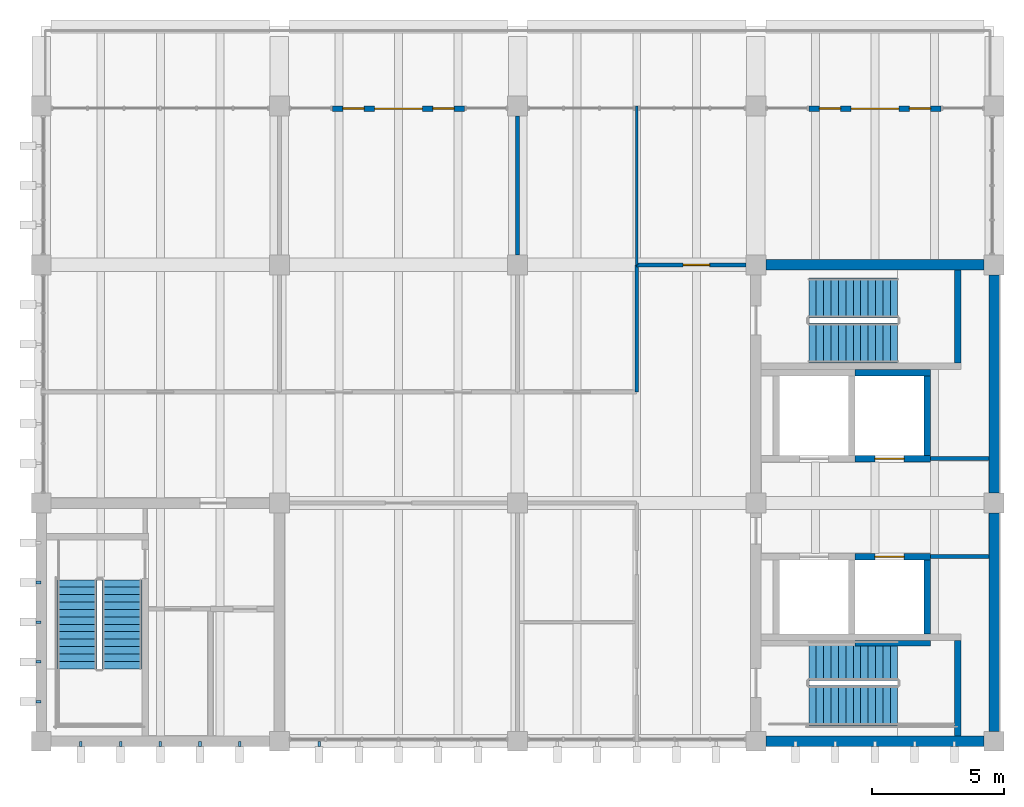
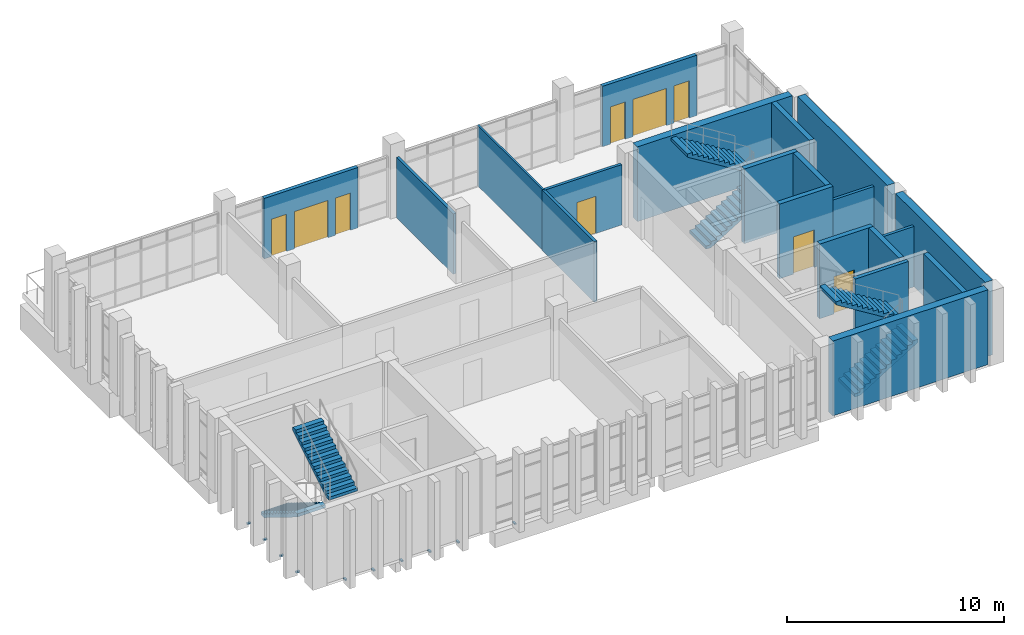
# One storey, part 10 of 15: 20 walls, 10 discrete accessories, 6 stair flights, 5 doors, 4 windows, 9 openings, 3 elements without a shape of their own.
"""IFC4 building model written with IfcOpenShell, lengths in metres."""

from ifc_helpers import new_model, si_unit, direction, frame, frame_2d, origin, place, context, subcontext, project, spatial, polyline, rectangle, outline, extrude, source, transform, mapped, material, layer, layer_set, type_object, element, fill, aggregate, save


model = new_model("IFC4")

# Units and contexts
model_context = context("Model", 3, precision=1e-05, world=origin(), true_north=direction((0.0, 1.0)))
body_context = subcontext(model_context, "Body", "Model", "MODEL_VIEW")
ifc_project = project(units=[si_unit("LENGTHUNIT", "METRE"), si_unit("AREAUNIT", "SQUARE_METRE"), si_unit("VOLUMEUNIT", "CUBIC_METRE"), si_unit("PLANEANGLEUNIT", "RADIAN"), si_unit("MASSUNIT", "GRAM", prefix="KILO")], contexts=[model_context])

# Site, building, storey
site_placement = place(None, origin())
site = spatial("IfcSite", under=ifc_project, at=site_placement, CompositionType="ELEMENT")
building_placement = place(site_placement, origin())
building = spatial("IfcBuilding", under=site, at=building_placement, Name="Merrow Basin Faculty of Sciences", CompositionType="ELEMENT")
storey_placement = place(building_placement, frame((0.0, 0.0, 31.5)))
storey = spatial("IfcBuildingStorey", under=building, at=storey_placement, Name="L07", CompositionType="ELEMENT", Elevation=31.5)

# Walls
ifc_material_1 = material(Name="Fire-rated gypsum board")
ifc_layer_1 = layer(ifc_material_1, 0.14990234375)
ifc_layer_set_1 = layer_set([ifc_layer_1], Name="Corridor partition 150 fire-rated board on steel studs")
wall_type_1 = type_object("IfcWallType", Name="Corridor partition 150 fire-rated board on steel studs", PredefinedType="PARTITIONING", material=ifc_layer_set_1)
wall_1_placement = place(storey_placement, frame((40.5, 155.199951171875, 0.0), z_axis=(0.0, 0.0, 1.0), x_axis=(0.0, 1.0, 0.0)))
element("IfcWall", 1, at=wall_1_placement, inside=storey, type_object=wall_type_1, Name="IW151 L07 005", PredefinedType="PARTITIONING", context=body_context, shape_type="SweptSolid", body=[
    extrude(rectangle(XDim=4.800048828125, YDim=0.14990234375, at=frame_2d((2.39990234375, 0.0))), origin(), (0.0, 0.0, 1.0), 3.39990234375),
])
for number, where, z_axis, x_axis, name in (
    (2, (51.60009765625, 148.97509765625, 0.0), (0.0, 0.0, 1.0), (1.0, 0.0, 0.0), "IW151 L07 007"),
    (3, (51.60009765625, 152.675048828125, 0.0), (0.0, 0.0, 1.0), (1.0, 0.0, 0.0), "IW151 L07 009"),
):
    element("IfcWall", number, at=place(storey_placement, frame(where, z_axis=z_axis, x_axis=x_axis)), inside=storey, type_object=wall_type_1, Name=name, PredefinedType="PARTITIONING", context=body_context, shape_type="SweptSolid", body=[
        extrude(rectangle(XDim=2.199951171875, YDim=0.14990234375, at=frame_2d((1.10009765625, 0.0))), origin(), (0.0, 0.0, 1.0), 3.39990234375),
    ])

# Wall, opening, door
wall_2_placement = place(storey_placement, frame((40.5, 160.0, 0.0), z_axis=(0.0, 0.0, 1.0), x_axis=(1.0, 0.0, 0.0)))
wall_2 = element("IfcWall", 4, at=wall_2_placement, inside=storey, type_object=wall_type_1, Name="IW151 L07 012", PredefinedType="PARTITIONING", context=body_context, shape_type="SweptSolid", body=[
    extrude(rectangle(XDim=4.125, YDim=0.14990234375, at=frame_2d((2.0625, 0.0))), origin(), (0.0, 0.0, 1.0), 3.39990234375),
])
opening_1_placement = place(wall_2_placement, frame((1.75, 0.0, 0.0)))
opening_1 = element("IfcOpeningElement", 5, at=opening_1_placement, cuts=wall_2, Name="Opening D07T015", PredefinedType="OPENING", context=body_context, shape_type="SweptSolid", body=[
    extrude(rectangle(XDim=1.0, YDim=2.10009765625, at=frame_2d((0.5, 1.050048828125))), frame((0.0, 0.0849609375, 0.0), z_axis=(0.0, -1.0, 0.0), x_axis=(1.0, 0.0, 0.0)), (0.0, 0.0, 1.0), 0.169921875),
])
ifc_material_2 = material(Name="Timber door leaf", Category="wood")
door_type_1 = type_object("IfcDoorType", Name="Single swing door 1000 x 2100", OperationType="NOTDEFINED", PredefinedType="DOOR", material=ifc_material_2)
door_1_placement = place(opening_1_placement, origin())
door_1 = element("IfcDoor", 6, at=door_1_placement, inside=storey, type_object=door_type_1, Name="Door D07T015", OperationType="SINGLE_SWING_LEFT", OverallHeight=2.10009765625, OverallWidth=1.0, PredefinedType="DOOR", context=body_context, shape_type="SweptSolid", body=[
    extrude(rectangle(XDim=1.0, YDim=2.10009765625, at=frame_2d((0.5, 1.050048828125))), frame((0.0, 0.02490234375, 0.0), z_axis=(0.0, -1.0, 0.0), x_axis=(1.0, 0.0, 0.0)), (0.0, 0.0, 1.0), 0.050048828125),
])
fill(opening_1, door_1)

# Wall, openings, door, windows
ifc_material_3 = material(Name="Precast concrete C40/50", Category="concrete")
ifc_layer_2 = layer(ifc_material_3, 0.199951171875)
ifc_layer_set_2 = layer_set([ifc_layer_2], Name="Entrance frame wall 200 Precast concrete C40/50")
wall_type_2 = type_object("IfcWallType", Name="Entrance frame wall 200 Precast concrete C40/50", PredefinedType="STANDARD", material=ifc_layer_set_2)
wall_3_placement = place(storey_placement, frame((29.0, 165.89990234375, 0.0), z_axis=(0.0, 0.0, 1.0), x_axis=(1.0, 0.0, 0.0)))
wall_3 = element("IfcWall", 7, at=wall_3_placement, inside=storey, type_object=wall_type_2, Name="Terrace frame wall", PredefinedType="STANDARD", context=body_context, shape_type="SweptSolid", body=[
    extrude(rectangle(XDim=5.0, YDim=0.199951171875, at=frame_2d((2.5, 0.0))), origin(), (0.0, 0.0, 1.0), 3.39990234375),
])
opening_2_placement = place(wall_3_placement, frame((1.60009765625, 0.0, 0.0)))
opening_2 = element("IfcOpeningElement", 8, at=opening_2_placement, cuts=wall_3, Name="Opening D07T016", PredefinedType="OPENING", context=body_context, shape_type="SweptSolid", body=[
    extrude(rectangle(XDim=1.800048828125, YDim=2.10009765625, at=frame_2d((0.89990234375, 1.050048828125))), frame((0.0, 0.10986328125, 0.0), z_axis=(0.0, -1.0, 0.0), x_axis=(1.0, 0.0, 0.0)), (0.0, 0.0, 1.0), 0.219970703125),
])
opening_3_placement = place(wall_3_placement, frame((0.39990234375, 0.0, 0.0)))
opening_3 = element("IfcOpeningElement", 9, at=opening_3_placement, cuts=wall_3, Name="Opening WN19", PredefinedType="OPENING", context=body_context, shape_type="SweptSolid", body=[
    extrude(rectangle(XDim=0.800048828125, YDim=2.10009765625, at=frame_2d((0.39990234375, 1.050048828125))), frame((0.0, 0.10986328125, 0.0), z_axis=(0.0, -1.0, 0.0), x_axis=(1.0, 0.0, 0.0)), (0.0, 0.0, 1.0), 0.219970703125),
])
opening_4_placement = place(wall_3_placement, frame((3.800048828125, 0.0, 0.0)))
opening_4 = element("IfcOpeningElement", 10, at=opening_4_placement, cuts=wall_3, Name="Opening WN19", PredefinedType="OPENING", context=body_context, shape_type="SweptSolid", body=[
    extrude(rectangle(XDim=0.800048828125, YDim=2.10009765625, at=frame_2d((0.39990234375, 1.050048828125))), frame((0.0, 0.10986328125, 0.0), z_axis=(0.0, -1.0, 0.0), x_axis=(1.0, 0.0, 0.0)), (0.0, 0.0, 1.0), 0.219970703125),
])
ifc_material_4 = material(Name="Glazed aluminium door", Category="aluminium")
door_type_2 = type_object("IfcDoorType", Name="Double swing door 1800 x 2100", OperationType="NOTDEFINED", PredefinedType="DOOR", material=ifc_material_4)
door_2_placement = place(opening_2_placement, origin())
door_2 = element("IfcDoor", 11, at=door_2_placement, inside=storey, type_object=door_type_2, Name="Terrace door", OperationType="DOUBLE_DOOR_SINGLE_SWING", OverallHeight=2.10009765625, OverallWidth=1.800048828125, PredefinedType="DOOR", context=body_context, shape_type="SweptSolid", body=[
    extrude(rectangle(XDim=1.800048828125, YDim=2.10009765625, at=frame_2d((0.89990234375, 1.050048828125))), frame((0.0, 0.02490234375, 0.0), z_axis=(0.0, -1.0, 0.0), x_axis=(1.0, 0.0, 0.0)), (0.0, 0.0, 1.0), 0.050048828125),
])
fill(opening_2, door_2)
ifc_material_5 = material(Name="Low-E double glazing", Category="glass")
window_type = type_object("IfcWindowType", Name="Terrace sidelight 800 x 2100", PartitioningType="SINGLE_PANEL", PredefinedType="WINDOW", material=ifc_material_5)
window_1_placement = place(opening_3_placement, origin())
window_1 = element("IfcWindow", 12, at=window_1_placement, inside=storey, type_object=window_type, Name="Terrace sidelight", OverallHeight=2.10009765625, OverallWidth=0.800048828125, PartitioningType="SINGLE_PANEL", PredefinedType="WINDOW", context=body_context, shape_type="SweptSolid", body=[
    extrude(rectangle(XDim=0.800048828125, YDim=2.10009765625, at=frame_2d((0.39990234375, 1.050048828125))), frame((0.0, 0.030029296875, 0.0), z_axis=(0.0, -1.0, 0.0), x_axis=(1.0, 0.0, 0.0)), (0.0, 0.0, 1.0), 0.06005859375),
])
fill(opening_3, window_1)
window_2_placement = place(opening_4_placement, origin())
window_2 = element("IfcWindow", 13, at=window_2_placement, inside=storey, type_object=window_type, Name="Terrace sidelight", OverallHeight=2.10009765625, OverallWidth=0.800048828125, PartitioningType="SINGLE_PANEL", PredefinedType="WINDOW", context=body_context, shape_type="SweptSolid", body=[
    extrude(rectangle(XDim=0.800048828125, YDim=2.10009765625, at=frame_2d((0.39990234375, 1.050048828125))), frame((0.0, 0.030029296875, 0.0), z_axis=(0.0, -1.0, 0.0), x_axis=(1.0, 0.0, 0.0)), (0.0, 0.0, 1.0), 0.06005859375),
])
fill(opening_4, window_2)

wall_4_placement = place(storey_placement, frame((47.0, 165.89990234375, 0.0), z_axis=(0.0, 0.0, 1.0), x_axis=(1.0, 0.0, 0.0)))
wall_4 = element("IfcWall", 14, at=wall_4_placement, inside=storey, type_object=wall_type_2, Name="Terrace frame wall", PredefinedType="STANDARD", context=body_context, shape_type="SweptSolid", body=[
    extrude(rectangle(XDim=5.0, YDim=0.199951171875, at=frame_2d((2.5, 0.0))), origin(), (0.0, 0.0, 1.0), 3.39990234375),
])
opening_5_placement = place(wall_4_placement, frame((1.60009765625, 0.0, 0.0)))
opening_5 = element("IfcOpeningElement", 15, at=opening_5_placement, cuts=wall_4, Name="Opening D07T017", PredefinedType="OPENING", context=body_context, shape_type="SweptSolid", body=[
    extrude(rectangle(XDim=1.800048828125, YDim=2.10009765625, at=frame_2d((0.89990234375, 1.050048828125))), frame((0.0, 0.10986328125, 0.0), z_axis=(0.0, -1.0, 0.0), x_axis=(1.0, 0.0, 0.0)), (0.0, 0.0, 1.0), 0.219970703125),
])
opening_6_placement = place(wall_4_placement, frame((0.39990234375, 0.0, 0.0)))
opening_6 = element("IfcOpeningElement", 16, at=opening_6_placement, cuts=wall_4, Name="Opening WN19", PredefinedType="OPENING", context=body_context, shape_type="SweptSolid", body=[
    extrude(rectangle(XDim=0.800048828125, YDim=2.10009765625, at=frame_2d((0.39990234375, 1.050048828125))), frame((0.0, 0.10986328125, 0.0), z_axis=(0.0, -1.0, 0.0), x_axis=(1.0, 0.0, 0.0)), (0.0, 0.0, 1.0), 0.219970703125),
])
opening_7_placement = place(wall_4_placement, frame((3.800048828125, 0.0, 0.0)))
opening_7 = element("IfcOpeningElement", 17, at=opening_7_placement, cuts=wall_4, Name="Opening WN19", PredefinedType="OPENING", context=body_context, shape_type="SweptSolid", body=[
    extrude(rectangle(XDim=0.800048828125, YDim=2.10009765625, at=frame_2d((0.39990234375, 1.050048828125))), frame((0.0, 0.10986328125, 0.0), z_axis=(0.0, -1.0, 0.0), x_axis=(1.0, 0.0, 0.0)), (0.0, 0.0, 1.0), 0.219970703125),
])
door_3_placement = place(opening_5_placement, origin())
door_3 = element("IfcDoor", 18, at=door_3_placement, inside=storey, type_object=door_type_2, Name="Terrace door", OperationType="DOUBLE_DOOR_SINGLE_SWING", OverallHeight=2.10009765625, OverallWidth=1.800048828125, PredefinedType="DOOR", context=body_context, shape_type="SweptSolid", body=[
    extrude(rectangle(XDim=1.800048828125, YDim=2.10009765625, at=frame_2d((0.89990234375, 1.050048828125))), frame((0.0, 0.02490234375, 0.0), z_axis=(0.0, -1.0, 0.0), x_axis=(1.0, 0.0, 0.0)), (0.0, 0.0, 1.0), 0.050048828125),
])
fill(opening_5, door_3)
window_3_placement = place(opening_6_placement, origin())
window_3 = element("IfcWindow", 19, at=window_3_placement, inside=storey, type_object=window_type, Name="Terrace sidelight", OverallHeight=2.10009765625, OverallWidth=0.800048828125, PartitioningType="SINGLE_PANEL", PredefinedType="WINDOW", context=body_context, shape_type="SweptSolid", body=[
    extrude(rectangle(XDim=0.800048828125, YDim=2.10009765625, at=frame_2d((0.39990234375, 1.050048828125))), frame((0.0, 0.030029296875, 0.0), z_axis=(0.0, -1.0, 0.0), x_axis=(1.0, 0.0, 0.0)), (0.0, 0.0, 1.0), 0.06005859375),
])
fill(opening_6, window_3)
window_4_placement = place(opening_7_placement, origin())
window_4 = element("IfcWindow", 20, at=window_4_placement, inside=storey, type_object=window_type, Name="Terrace sidelight", OverallHeight=2.10009765625, OverallWidth=0.800048828125, PartitioningType="SINGLE_PANEL", PredefinedType="WINDOW", context=body_context, shape_type="SweptSolid", body=[
    extrude(rectangle(XDim=0.800048828125, YDim=2.10009765625, at=frame_2d((0.39990234375, 1.050048828125))), frame((0.0, 0.030029296875, 0.0), z_axis=(0.0, -1.0, 0.0), x_axis=(1.0, 0.0, 0.0)), (0.0, 0.0, 1.0), 0.06005859375),
])
fill(opening_7, window_4)

# Walls
ifc_material_6 = material(Name="Fire-rated gypsum board")
ifc_layer_3 = layer(ifc_material_6, 0.14990234375)
ifc_layer_set_3 = layer_set([ifc_layer_3], Name="Laboratory partition 150 fire-rated board on steel studs")
wall_type_3 = type_object("IfcWallType", Name="Laboratory partition 150 fire-rated board on steel studs", PredefinedType="PARTITIONING", material=ifc_layer_set_3)
wall_5_placement = place(storey_placement, frame((36.0, 160.375, 0.0), z_axis=(0.0, 0.0, 1.0), x_axis=(0.0, 1.0, 0.0)))
element("IfcWall", 21, at=wall_5_placement, inside=storey, type_object=wall_type_3, Name="IW150 L07 016", PredefinedType="PARTITIONING", context=body_context, shape_type="SweptSolid", body=[
    extrude(rectangle(XDim=5.25, YDim=0.14990234375, at=frame_2d((2.625, 0.0))), origin(), (0.0, 0.0, 1.0), 3.39990234375),
])
ifc_material_7 = material(Name="Gypsum board")
ifc_layer_4 = layer(ifc_material_7, 0.10009765625)
ifc_layer_set_4 = layer_set([ifc_layer_4], Name="Partition 100 gypsum board on steel studs")
wall_type_4 = type_object("IfcWallType", Name="Partition 100 gypsum board on steel studs", PredefinedType="PARTITIONING", material=ifc_layer_set_4)
wall_6_placement = place(storey_placement, frame((40.5, 160.0, 0.0), z_axis=(0.0, 0.0, 1.0), x_axis=(0.0, 1.0, 0.0)))
element("IfcWall", 22, at=wall_6_placement, inside=storey, type_object=wall_type_4, Name="IW100 L07 021", PredefinedType="PARTITIONING", context=body_context, shape_type="SweptSolid", body=[
    extrude(rectangle(XDim=6.0, YDim=0.10009765625, at=frame_2d((3.0, 0.0))), origin(), (0.0, 0.0, 1.0), 3.39990234375),
])
ifc_material_8 = material(Name="Concrete C40/50", Category="concrete")
ifc_layer_5 = layer(ifc_material_8, 0.199951171875)
ifc_layer_set_5 = layer_set([ifc_layer_5], Name="Shear wall 200 Concrete C40/50")
wall_type_5 = type_object("IfcWallType", Name="Shear wall 200 Concrete C40/50", PredefinedType="SHEAR", material=ifc_layer_set_5)
wall_7_placement = place(storey_placement, frame((48.75, 145.699951171875, 0.0), z_axis=(0.0, 0.0, 1.0), x_axis=(1.0, 0.0, 0.0)))
element("IfcWall", 23, at=wall_7_placement, inside=storey, type_object=wall_type_5, Name="SW6 L07 022", PredefinedType="SHEAR", context=body_context, shape_type="SweptSolid", body=[
    extrude(rectangle(XDim=2.85009765625, YDim=0.199951171875, at=frame_2d((1.425048828125, 0.0))), origin(), (0.0, 0.0, 1.0), 4.199951171875),
])
ifc_material_9 = material(Name="Concrete C40/50", Category="concrete")
ifc_layer_6 = layer(ifc_material_9, 0.25)
ifc_layer_set_6 = layer_set([ifc_layer_6], Name="Shear wall 250 Concrete C40/50")
wall_type_6 = type_object("IfcWallType", Name="Shear wall 250 Concrete C40/50", PredefinedType="SHEAR", material=ifc_layer_set_6)
wall_8_placement = place(storey_placement, frame((52.625, 156.300048828125, 0.0), z_axis=(0.0, 0.0, 1.0), x_axis=(0.0, 1.0, 0.0)))
element("IfcWall", 24, at=wall_8_placement, inside=storey, type_object=wall_type_6, Name="SW2 L07 008", PredefinedType="SHEAR", context=body_context, shape_type="SweptSolid", body=[
    extrude(rectangle(XDim=3.5, YDim=0.25, at=frame_2d((1.75, 0.0))), origin(), (0.0, 0.0, 1.0), 4.199951171875),
])
wall_9_placement = place(storey_placement, frame((52.625, 142.199951171875, 0.0), z_axis=(0.0, 0.0, 1.0), x_axis=(0.0, 1.0, 0.0)))
element("IfcWall", 25, at=wall_9_placement, inside=storey, type_object=wall_type_6, Name="SW2 L07 010", PredefinedType="SHEAR", context=body_context, shape_type="SweptSolid", body=[
    extrude(rectangle(XDim=3.60009765625, YDim=0.25, at=frame_2d((1.800048828125, 0.0))), origin(), (0.0, 0.0, 1.0), 4.199951171875),
])

# Wall, opening, door
wall_10_placement = place(storey_placement, frame((48.75, 152.675048828125, 0.0), z_axis=(0.0, 0.0, 1.0), x_axis=(1.0, 0.0, 0.0)))
wall_10 = element("IfcWall", 26, at=wall_10_placement, inside=storey, type_object=wall_type_6, Name="SW2 L07 015", PredefinedType="SHEAR", context=body_context, shape_type="SweptSolid", body=[
    extrude(rectangle(XDim=2.85009765625, YDim=0.25, at=frame_2d((1.425048828125, 0.0))), origin(), (0.0, 0.0, 1.0), 4.199951171875),
])
opening_8_placement = place(wall_10_placement, frame((0.75, 0.0, 0.0)))
opening_8 = element("IfcOpeningElement", 27, at=opening_8_placement, cuts=wall_10, Name="Opening LD07T02", PredefinedType="OPENING", context=body_context, shape_type="SweptSolid", body=[
    extrude(rectangle(XDim=1.10009765625, YDim=2.10009765625, at=frame_2d((0.550048828125, 1.050048828125))), frame((0.0, 0.135009765625, 0.0), z_axis=(0.0, -1.0, 0.0), x_axis=(1.0, 0.0, 0.0)), (0.0, 0.0, 1.0), 0.27001953125),
])
ifc_material_10 = material(Name="Stainless steel sliding door", Category="steel")
door_type_3 = type_object("IfcDoorType", Name="Lift landing door 1100 x 2100 sliding", OperationType="NOTDEFINED", PredefinedType="DOOR", material=ifc_material_10)
door_4_placement = place(opening_8_placement, origin())
door_4 = element("IfcDoor", 28, at=door_4_placement, inside=storey, type_object=door_type_3, Name="Landing door LF12 L07", OperationType="SLIDING_TO_LEFT", OverallHeight=2.10009765625, OverallWidth=1.10009765625, PredefinedType="DOOR", context=body_context, shape_type="SweptSolid", body=[
    extrude(rectangle(XDim=1.10009765625, YDim=2.10009765625, at=frame_2d((0.550048828125, 1.050048828125))), frame((0.0, 0.02490234375, 0.0), z_axis=(0.0, -1.0, 0.0), x_axis=(1.0, 0.0, 0.0)), (0.0, 0.0, 1.0), 0.050048828125),
])
fill(opening_8, door_4)

# Walls
wall_11_placement = place(storey_placement, frame((48.75, 155.925048828125, 0.0), z_axis=(0.0, 0.0, 1.0), x_axis=(1.0, 0.0, 0.0)))
element("IfcWall", 29, at=wall_11_placement, inside=storey, type_object=wall_type_6, Name="SW2 L07 016", PredefinedType="SHEAR", context=body_context, shape_type="SweptSolid", body=[
    extrude(rectangle(XDim=2.85009765625, YDim=0.25, at=frame_2d((1.425048828125, 0.0))), origin(), (0.0, 0.0, 1.0), 4.199951171875),
])
wall_12_placement = place(storey_placement, frame((51.47509765625, 152.800048828125, 0.0), z_axis=(0.0, 0.0, 1.0), x_axis=(0.0, 1.0, 0.0)))
element("IfcWall", 30, at=wall_12_placement, inside=storey, type_object=wall_type_6, Name="SW2 L07 017", PredefinedType="SHEAR", context=body_context, shape_type="SweptSolid", body=[
    extrude(rectangle(XDim=3.0, YDim=0.25, at=frame_2d((1.5, 0.0))), origin(), (0.0, 0.0, 1.0), 4.199951171875),
])

# Wall, opening, door
wall_13_placement = place(storey_placement, frame((48.75, 148.97509765625, 0.0), z_axis=(0.0, 0.0, 1.0), x_axis=(1.0, 0.0, 0.0)))
wall_13 = element("IfcWall", 31, at=wall_13_placement, inside=storey, type_object=wall_type_6, Name="SW2 L07 023", PredefinedType="SHEAR", context=body_context, shape_type="SweptSolid", body=[
    extrude(rectangle(XDim=2.85009765625, YDim=0.25, at=frame_2d((1.425048828125, 0.0))), origin(), (0.0, 0.0, 1.0), 4.199951171875),
])
opening_9_placement = place(wall_13_placement, frame((0.75, 0.0, 0.0)))
opening_9 = element("IfcOpeningElement", 32, at=opening_9_placement, cuts=wall_13, Name="Opening LD07T04", PredefinedType="OPENING", context=body_context, shape_type="SweptSolid", body=[
    extrude(rectangle(XDim=1.10009765625, YDim=2.10009765625, at=frame_2d((0.550048828125, 1.050048828125))), frame((0.0, 0.135009765625, 0.0), z_axis=(0.0, -1.0, 0.0), x_axis=(1.0, 0.0, 0.0)), (0.0, 0.0, 1.0), 0.27001953125),
])
door_5_placement = place(opening_9_placement, origin())
door_5 = element("IfcDoor", 33, at=door_5_placement, inside=storey, type_object=door_type_3, Name="Landing door LF14 L07", OperationType="SLIDING_TO_LEFT", OverallHeight=2.10009765625, OverallWidth=1.10009765625, PredefinedType="DOOR", context=body_context, shape_type="SweptSolid", body=[
    extrude(rectangle(XDim=1.10009765625, YDim=2.10009765625, at=frame_2d((0.550048828125, 1.050048828125))), frame((0.0, 0.02490234375, 0.0), z_axis=(0.0, -1.0, 0.0), x_axis=(1.0, 0.0, 0.0)), (0.0, 0.0, 1.0), 0.050048828125),
])
fill(opening_9, door_5)

# Walls
wall_14_placement = place(storey_placement, frame((51.47509765625, 146.050048828125, 0.0), z_axis=(0.0, 0.0, 1.0), x_axis=(0.0, 1.0, 0.0)))
element("IfcWall", 34, at=wall_14_placement, inside=storey, type_object=wall_type_6, Name="SW2 L07 024", PredefinedType="SHEAR", context=body_context, shape_type="SweptSolid", body=[
    extrude(rectangle(XDim=2.800048828125, YDim=0.25, at=frame_2d((1.39990234375, 0.0))), origin(), (0.0, 0.0, 1.0), 4.199951171875),
])
ifc_material_11 = material(Name="Concrete C40/50", Category="concrete")
ifc_layer_7 = layer(ifc_material_11, 0.39990234375)
ifc_layer_set_7 = layer_set([ifc_layer_7], Name="Shear wall 400 Concrete C40/50")
wall_type_7 = type_object("IfcWallType", Name="Shear wall 400 Concrete C40/50", PredefinedType="SHEAR", material=ifc_layer_set_7)
for number, where, z_axis, x_axis, name in (
    (35, (45.375, 142.0, 0.0), (0.0, 0.0, 1.0), (1.0, 0.0, 0.0), "SW1 L07 001"),
    (36, (45.375, 160.0, 0.0), (0.0, 0.0, 1.0), (1.0, 0.0, 0.0), "SW1 L07 002"),
    (37, (54.0, 142.375, 0.0), (0.0, 0.0, 1.0), (0.0, 1.0, 0.0), "SW1 L07 005"),
    (38, (54.0, 151.375, 0.0), (0.0, 0.0, 1.0), (0.0, 1.0, 0.0), "SW1 L07 006"),
):
    element("IfcWall", number, at=place(storey_placement, frame(where, z_axis=z_axis, x_axis=x_axis)), inside=storey, type_object=wall_type_7, Name=name, PredefinedType="SHEAR", context=body_context, shape_type="SweptSolid", body=[
        extrude(rectangle(XDim=8.25, YDim=0.39990234375, at=frame_2d((4.125, 0.0))), origin(), (0.0, 0.0, 1.0), 4.199951171875),
    ])

# Stair, stair flights
ifc_material_12 = material(Name="Concrete C40/50", Category="concrete")
stair_type = type_object("IfcStairType", Name="Concrete dog-leg stair Concrete C40/50", PredefinedType="HALF_TURN_STAIR", material=ifc_material_12)
stair_1_placement = place(storey_placement, origin())
stair_1 = element("IfcStair", 39, at=stair_1_placement, inside=storey, type_object=stair_type, Name="L07 Exit stair S", PredefinedType="HALF_TURN_STAIR")
ifc_material_13 = material(Name="Concrete C40/50", Category="concrete")
stair_flight_type = type_object("IfcStairFlightType", Name="Concrete stair flight Concrete C40/50", PredefinedType="STRAIGHT", material=ifc_material_13)
stair_flight_1_placement = place(storey_placement, frame((47.0, 157.050048828125, 0.0), z_axis=(0.0, 0.0, 1.0), x_axis=(1.0, 0.0, 0.0)))
stair_flight_1 = element("IfcStairFlight", 40, at=stair_flight_1_placement, type_object=stair_flight_type, Name="ST-V5-S flight 1", NumberOfRisers=13, NumberOfTreads=12, PredefinedType="STRAIGHT", RiserHeight=0.173076923, TreadLength=0.28, context=body_context, shape_type="SweptSolid", body=[
    extrude(outline(polyline([(0.0, 0.0), (0.0, 0.173095703125), (0.280029296875, 0.173095703125), (0.280029296875, 0.34619140625), (0.56005859375, 0.34619140625), (0.56005859375, 0.519287109375), (0.840087890625, 0.519287109375), (0.840087890625, 0.6923828125), (1.1201171875, 0.6923828125), (1.1201171875, 0.865478515625), (1.39990234375, 0.865478515625), (1.39990234375, 1.03857421875), (1.679931640625, 1.03857421875), (1.679931640625, 1.21142578125), (1.9599609375, 1.21142578125), (1.9599609375, 1.384521484375), (2.239990234375, 1.384521484375), (2.239990234375, 1.5576171875), (2.52001953125, 1.5576171875), (2.52001953125, 1.730712890625), (2.800048828125, 1.730712890625), (2.800048828125, 1.90380859375), (3.080078125, 1.90380859375), (3.080078125, 2.076904296875), (3.360107421875, 2.076904296875), (3.360107421875, 2.25), (3.360107421875, 1.900634765625), (0.28515625, 0.0), (0.0, 0.0)])), frame((0.0, 0.75, 0.0), z_axis=(0.0, -1.0, 0.0), x_axis=(1.0, 0.0, 0.0)), (0.0, 0.0, 1.0), 1.5),
])
stair_flight_2_placement = place(storey_placement, frame((50.360107421875, 158.75, 2.25), z_axis=(0.0, 0.0, 1.0), x_axis=(-1.0, 0.0, 0.0)))
stair_flight_2 = element("IfcStairFlight", 41, at=stair_flight_2_placement, type_object=stair_flight_type, Name="ST-V5-S flight 2", NumberOfRisers=13, NumberOfTreads=12, PredefinedType="STRAIGHT", RiserHeight=0.173076923, TreadLength=0.28, context=body_context, shape_type="SweptSolid", body=[
    extrude(outline(polyline([(0.0, 0.0), (0.0, 0.173095703125), (0.280029296875, 0.173095703125), (0.280029296875, 0.34619140625), (0.56005859375, 0.34619140625), (0.56005859375, 0.519287109375), (0.840087890625, 0.519287109375), (0.840087890625, 0.6923828125), (1.1201171875, 0.6923828125), (1.1201171875, 0.865478515625), (1.39990234375, 0.865478515625), (1.39990234375, 1.03857421875), (1.679931640625, 1.03857421875), (1.679931640625, 1.21142578125), (1.9599609375, 1.21142578125), (1.9599609375, 1.384521484375), (2.239990234375, 1.384521484375), (2.239990234375, 1.5576171875), (2.52001953125, 1.5576171875), (2.52001953125, 1.730712890625), (2.800048828125, 1.730712890625), (2.800048828125, 1.90380859375), (3.080078125, 1.90380859375), (3.080078125, 2.076904296875), (3.360107421875, 2.076904296875), (3.360107421875, 2.25), (3.360107421875, 1.900634765625), (0.28515625, 0.0), (0.0, 0.0)])), frame((0.0, 0.75, 0.0), z_axis=(0.0, -1.0, 0.0), x_axis=(1.0, 0.0, 0.0)), (0.0, 0.0, 1.0), 1.5),
])
aggregate(stair_1, [stair_flight_1, stair_flight_2])

stair_2_placement = place(storey_placement, origin())
stair_2 = element("IfcStair", 42, at=stair_2_placement, inside=storey, type_object=stair_type, Name="L07 Exit stair N", PredefinedType="HALF_TURN_STAIR")
stair_flight_3_placement = place(storey_placement, frame((47.0, 143.35009765625, 0.0), z_axis=(0.0, 0.0, 1.0), x_axis=(1.0, 0.0, 0.0)))
stair_flight_3 = element("IfcStairFlight", 43, at=stair_flight_3_placement, type_object=stair_flight_type, Name="ST-V5-N flight 1", NumberOfRisers=13, NumberOfTreads=12, PredefinedType="STRAIGHT", RiserHeight=0.173076923, TreadLength=0.28, context=body_context, shape_type="SweptSolid", body=[
    extrude(outline(polyline([(0.0, 0.0), (0.0, 0.173095703125), (0.280029296875, 0.173095703125), (0.280029296875, 0.34619140625), (0.56005859375, 0.34619140625), (0.56005859375, 0.519287109375), (0.840087890625, 0.519287109375), (0.840087890625, 0.6923828125), (1.1201171875, 0.6923828125), (1.1201171875, 0.865478515625), (1.39990234375, 0.865478515625), (1.39990234375, 1.03857421875), (1.679931640625, 1.03857421875), (1.679931640625, 1.21142578125), (1.9599609375, 1.21142578125), (1.9599609375, 1.384521484375), (2.239990234375, 1.384521484375), (2.239990234375, 1.5576171875), (2.52001953125, 1.5576171875), (2.52001953125, 1.730712890625), (2.800048828125, 1.730712890625), (2.800048828125, 1.90380859375), (3.080078125, 1.90380859375), (3.080078125, 2.076904296875), (3.360107421875, 2.076904296875), (3.360107421875, 2.25), (3.360107421875, 1.900634765625), (0.28515625, 0.0), (0.0, 0.0)])), frame((0.0, 0.75, 0.0), z_axis=(0.0, -1.0, 0.0), x_axis=(1.0, 0.0, 0.0)), (0.0, 0.0, 1.0), 1.5),
])
stair_flight_4_placement = place(storey_placement, frame((50.360107421875, 145.050048828125, 2.25), z_axis=(0.0, 0.0, 1.0), x_axis=(-1.0, 0.0, 0.0)))
stair_flight_4 = element("IfcStairFlight", 44, at=stair_flight_4_placement, type_object=stair_flight_type, Name="ST-V5-N flight 2", NumberOfRisers=13, NumberOfTreads=12, PredefinedType="STRAIGHT", RiserHeight=0.173076923, TreadLength=0.28, context=body_context, shape_type="SweptSolid", body=[
    extrude(outline(polyline([(0.0, 0.0), (0.0, 0.173095703125), (0.280029296875, 0.173095703125), (0.280029296875, 0.34619140625), (0.56005859375, 0.34619140625), (0.56005859375, 0.519287109375), (0.840087890625, 0.519287109375), (0.840087890625, 0.6923828125), (1.1201171875, 0.6923828125), (1.1201171875, 0.865478515625), (1.39990234375, 0.865478515625), (1.39990234375, 1.03857421875), (1.679931640625, 1.03857421875), (1.679931640625, 1.21142578125), (1.9599609375, 1.21142578125), (1.9599609375, 1.384521484375), (2.239990234375, 1.384521484375), (2.239990234375, 1.5576171875), (2.52001953125, 1.5576171875), (2.52001953125, 1.730712890625), (2.800048828125, 1.730712890625), (2.800048828125, 1.90380859375), (3.080078125, 1.90380859375), (3.080078125, 2.076904296875), (3.360107421875, 2.076904296875), (3.360107421875, 2.25), (3.360107421875, 1.900634765625), (0.28515625, 0.0), (0.0, 0.0)])), frame((0.0, 0.75, 0.0), z_axis=(0.0, -1.0, 0.0), x_axis=(1.0, 0.0, 0.0)), (0.0, 0.0, 1.0), 1.5),
])
aggregate(stair_2, [stair_flight_3, stair_flight_4])

stair_3_placement = place(storey_placement, origin())
stair_3 = element("IfcStair", 45, at=stair_3_placement, inside=storey, type_object=stair_type, Name="L07 Exit stair W", PredefinedType="HALF_TURN_STAIR")
stair_flight_5_placement = place(storey_placement, frame((19.35009765625, 148.10009765625, 0.0), z_axis=(0.0, 0.0, 1.0), x_axis=(0.0, -1.0, 0.0)))
stair_flight_5 = element("IfcStairFlight", 46, at=stair_flight_5_placement, type_object=stair_flight_type, Name="ST-V5-W flight 1", NumberOfRisers=13, NumberOfTreads=12, PredefinedType="STRAIGHT", RiserHeight=0.173076923, TreadLength=0.28, context=body_context, shape_type="SweptSolid", body=[
    extrude(outline(polyline([(0.0, 0.0), (0.0, 0.173095703125), (0.280029296875, 0.173095703125), (0.280029296875, 0.34619140625), (0.56005859375, 0.34619140625), (0.56005859375, 0.519287109375), (0.840087890625, 0.519287109375), (0.840087890625, 0.6923828125), (1.1201171875, 0.6923828125), (1.1201171875, 0.865478515625), (1.39990234375, 0.865478515625), (1.39990234375, 1.03857421875), (1.679931640625, 1.03857421875), (1.679931640625, 1.21142578125), (1.9599609375, 1.21142578125), (1.9599609375, 1.384521484375), (2.239990234375, 1.384521484375), (2.239990234375, 1.5576171875), (2.52001953125, 1.5576171875), (2.52001953125, 1.730712890625), (2.800048828125, 1.730712890625), (2.800048828125, 1.90380859375), (3.080078125, 1.90380859375), (3.080078125, 2.076904296875), (3.360107421875, 2.076904296875), (3.360107421875, 2.25), (3.360107421875, 1.900634765625), (0.28515625, 0.0), (0.0, 0.0)])), frame((0.0, 0.75, 0.0), z_axis=(0.0, -1.0, 0.0), x_axis=(1.0, 0.0, 0.0)), (0.0, 0.0, 1.0), 1.5),
])
stair_flight_6_placement = place(storey_placement, frame((21.050048828125, 144.739990234375, 2.25), z_axis=(0.0, 0.0, 1.0), x_axis=(0.0, 1.0, 0.0)))
stair_flight_6 = element("IfcStairFlight", 47, at=stair_flight_6_placement, type_object=stair_flight_type, Name="ST-V5-W flight 2", NumberOfRisers=13, NumberOfTreads=12, PredefinedType="STRAIGHT", RiserHeight=0.173076923, TreadLength=0.28, context=body_context, shape_type="SweptSolid", body=[
    extrude(outline(polyline([(0.0, 0.0), (0.0, 0.173095703125), (0.280029296875, 0.173095703125), (0.280029296875, 0.34619140625), (0.56005859375, 0.34619140625), (0.56005859375, 0.519287109375), (0.840087890625, 0.519287109375), (0.840087890625, 0.6923828125), (1.1201171875, 0.6923828125), (1.1201171875, 0.865478515625), (1.39990234375, 0.865478515625), (1.39990234375, 1.03857421875), (1.679931640625, 1.03857421875), (1.679931640625, 1.21142578125), (1.9599609375, 1.21142578125), (1.9599609375, 1.384521484375), (2.239990234375, 1.384521484375), (2.239990234375, 1.5576171875), (2.52001953125, 1.5576171875), (2.52001953125, 1.730712890625), (2.800048828125, 1.730712890625), (2.800048828125, 1.90380859375), (3.080078125, 1.90380859375), (3.080078125, 2.076904296875), (3.360107421875, 2.076904296875), (3.360107421875, 2.25), (3.360107421875, 1.900634765625), (0.28515625, 0.0), (0.0, 0.0)])), frame((0.0, 0.75, 0.0), z_axis=(0.0, -1.0, 0.0), x_axis=(1.0, 0.0, 0.0)), (0.0, 0.0, 1.0), 1.5),
])
aggregate(stair_3, [stair_flight_5, stair_flight_6])

# Discrete accessories
ifc_material_14 = material(Name="Steel ASTM A572 Gr 50", Category="steel")
discrete_accessory_type = type_object("IfcDiscreteAccessoryType", Name="Steel T bracket 100 x 80 fin", PredefinedType="BRACKET", material=ifc_material_14)
shared_shape = source(origin(), body_context, "Body", "SweptSolid", [
    extrude(outline(polyline([(0.0, 0.0), (0.10009765625, 0.0), (0.10009765625, 0.080078125), (0.0, 0.080078125), (0.0, 0.0)])), origin(), (0.0, 0.0, 1.0), 0.199951171875),
])
for number, where, z_axis, x_axis, name in (
    (48, (19.449951171875, 142.0, -0.199951171875), (0.0, -1.0, 0.0), (1.0, 0.0, 0.0), "Fin bracket SL07"),
    (49, (20.949951171875, 142.0, -0.199951171875), (0.0, -1.0, 0.0), (1.0, 0.0, 0.0), "Fin bracket SL07"),
    (50, (22.449951171875, 142.0, -0.199951171875), (0.0, -1.0, 0.0), (1.0, 0.0, 0.0), "Fin bracket SL07"),
    (51, (23.949951171875, 142.0, -0.199951171875), (0.0, -1.0, 0.0), (1.0, 0.0, 0.0), "Fin bracket SL07"),
    (52, (25.449951171875, 142.0, -0.199951171875), (0.0, -1.0, 0.0), (1.0, 0.0, 0.0), "Fin bracket SL07"),
    (53, (28.449951171875, 142.0, -0.199951171875), (0.0, -1.0, 0.0), (1.0, 0.0, 0.0), "Fin bracket SL07"),
    (54, (18.0, 143.550048828125, -0.199951171875), (-1.0, 0.0, 0.0), (0.0, -1.0, 0.0), "Fin bracket WL07"),
    (55, (18.0, 145.050048828125, -0.199951171875), (-1.0, 0.0, 0.0), (0.0, -1.0, 0.0), "Fin bracket WL07"),
    (56, (18.0, 146.550048828125, -0.199951171875), (-1.0, 0.0, 0.0), (0.0, -1.0, 0.0), "Fin bracket WL07"),
    (57, (18.0, 148.050048828125, -0.199951171875), (-1.0, 0.0, 0.0), (0.0, -1.0, 0.0), "Fin bracket WL07"),
):
    element("IfcDiscreteAccessory", number, at=place(storey_placement, frame(where, z_axis=z_axis, x_axis=x_axis)), inside=storey, type_object=discrete_accessory_type, Name=name, PredefinedType="BRACKET", context=body_context, shape_type="MappedRepresentation", body=[
        mapped(shared_shape, transform((0.0, 0.0, 0.0), scale=1.0)),
    ])

save(model, "model.ifc")
